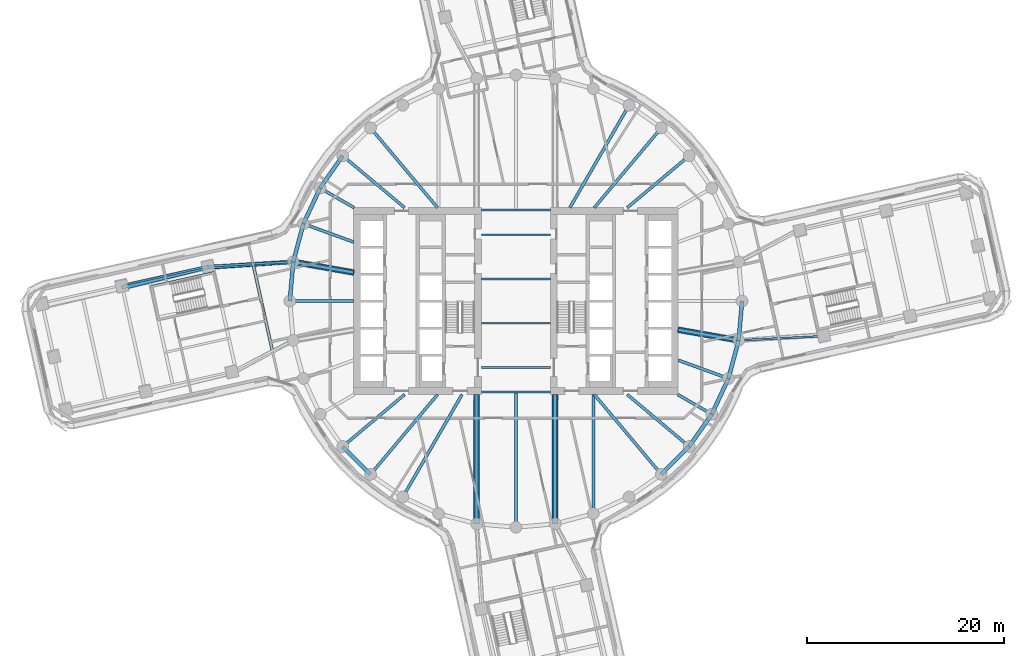
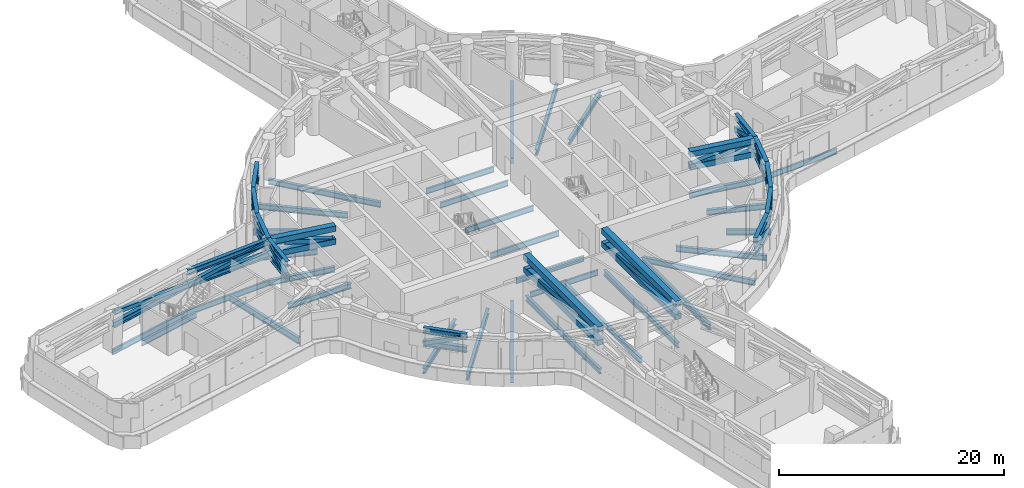
# One storey, part 3 of 22: 47 members, 32 beams.
"""IFC4 building model written with IfcOpenShell, lengths in metres."""

from ifc_helpers import new_model, si_unit, direction, frame, origin, origin_2d, place, context, subcontext, project, spatial, hollow_rectangle, i_section, extrude, material, material_profile, profile_set, type_object, element, save


model = new_model("IFC4")

# Units and contexts
model_context = context("Model", 3, precision=1e-05, world=origin(), true_north=direction((0.0, 1.0)))
body_context = subcontext(model_context, "Body", "Model", "MODEL_VIEW")
ifc_project = project(units=[si_unit("LENGTHUNIT", "METRE"), si_unit("AREAUNIT", "SQUARE_METRE"), si_unit("VOLUMEUNIT", "CUBIC_METRE"), si_unit("PLANEANGLEUNIT", "RADIAN"), si_unit("MASSUNIT", "GRAM", prefix="KILO")], contexts=[model_context])

# Site, building, storey
site_placement = place(None, origin())
site = spatial("IfcSite", under=ifc_project, at=site_placement, CompositionType="ELEMENT")
building_placement = place(site_placement, origin())
building = spatial("IfcBuilding", under=site, at=building_placement, Name="Tamarind Cross Interchange Tower", CompositionType="ELEMENT")
storey_placement = place(building_placement, frame((0.0, 0.0, 79.0)))
storey = spatial("IfcBuildingStorey", under=building, at=storey_placement, Name="L18", CompositionType="ELEMENT", Elevation=79.0)

# Beams
ifc_material_1 = material(Name="Steel Q355B", Category="steel")
ifc_material_profile_1 = material_profile(ifc_material_1, i_section(OverallWidth=0.302001953125, OverallDepth=0.593994140625, WebThickness=0.013916015625, FlangeThickness=0.02294921875, FilletRadius=0.01806640625, at=origin_2d()), Name="HM 594x302x14x23")
ifc_profile_set_1 = profile_set([ifc_material_profile_1], Name="Steel Q355B")
beam_type_1 = type_object("IfcBeamType", Name="Composite beam HM 594x302x14x23 Q355B", PredefinedType="BEAM", material=ifc_profile_set_1)
beam_1_placement = place(storey_placement, frame((17.619140625, 14.7841796875, -0.47705078125), z_axis=(-0.766040580814, -0.642792212574, 0.0), x_axis=(0.642792212574, -0.766040580814, 0.0)))
element("IfcBeam", 1, at=beam_1_placement, inside=storey, type_object=beam_type_1, Name="Beam HH04", PredefinedType="BEAM", context=body_context, shape_type="SweptSolid", body=[
    extrude(i_section(OverallWidth=0.302001953125, OverallDepth=0.593994140625, WebThickness=0.013916015625, FlangeThickness=0.02294921875, FilletRadius=0.01806640625, at=origin_2d()), origin(), (0.0, 0.0, 1.0), 8.220703125),
])
beam_2_placement = place(storey_placement, frame((14.7841796875, 17.619140625, -0.47705078125), z_axis=(-0.642786293979, -0.766045547127, 0.0), x_axis=(0.766045547127, -0.642786293979, 0.0)))
element("IfcBeam", 2, at=beam_2_placement, inside=storey, type_object=beam_type_1, Name="Beam HH05", PredefinedType="BEAM", context=body_context, shape_type="SweptSolid", body=[
    extrude(i_section(OverallWidth=0.302001953125, OverallDepth=0.593994140625, WebThickness=0.013916015625, FlangeThickness=0.02294921875, FilletRadius=0.01806640625, at=origin_2d()), origin(), (0.0, 0.0, 1.0), 10.598876953125),
])
beam_3_placement = place(storey_placement, frame((11.5, 19.918701171875, -0.47705078125), z_axis=(-0.499993565836, -0.866029118519, 0.0), x_axis=(0.866029118519, -0.499993565836, 0.0)))
element("IfcBeam", 3, at=beam_3_placement, inside=storey, type_object=beam_type_1, Name="Beam HH06", PredefinedType="BEAM", context=body_context, shape_type="SweptSolid", body=[
    extrude(i_section(OverallWidth=0.302001953125, OverallDepth=0.593994140625, WebThickness=0.013916015625, FlangeThickness=0.02294921875, FilletRadius=0.01806640625, at=origin_2d()), origin(), (0.0, 0.0, 1.0), 12.030517578125),
])
beam_4_placement = place(storey_placement, frame((-14.7841796875, 17.619140625, -0.47705078125), z_axis=(0.642786293979, -0.766045547127, 0.0), x_axis=(0.766045547127, 0.642786293979, 0.0)))
element("IfcBeam", 4, at=beam_4_placement, inside=storey, type_object=beam_type_1, Name="Beam HH13", PredefinedType="BEAM", context=body_context, shape_type="SweptSolid", body=[
    extrude(i_section(OverallWidth=0.302001953125, OverallDepth=0.593994140625, WebThickness=0.013916015625, FlangeThickness=0.02294921875, FilletRadius=0.01806640625, at=origin_2d()), origin(), (0.0, 0.0, 1.0), 10.598876953125),
])
beam_5_placement = place(storey_placement, frame((-17.619140625, 14.7841796875, -0.47705078125), z_axis=(0.766040580814, -0.642792212574, 0.0), x_axis=(0.642792212574, 0.766040580814, 0.0)))
element("IfcBeam", 5, at=beam_5_placement, inside=storey, type_object=beam_type_1, Name="Beam HH14", PredefinedType="BEAM", context=body_context, shape_type="SweptSolid", body=[
    extrude(i_section(OverallWidth=0.302001953125, OverallDepth=0.593994140625, WebThickness=0.013916015625, FlangeThickness=0.02294921875, FilletRadius=0.01806640625, at=origin_2d()), origin(), (0.0, 0.0, 1.0), 8.220703125),
])
beam_6_placement = place(storey_placement, frame((-19.918701171875, 11.5, -0.47705078125), z_axis=(0.866026010844, -0.49999894854, 0.0), x_axis=(0.49999894854, 0.866026010844, 0.0)))
element("IfcBeam", 6, at=beam_6_placement, inside=storey, type_object=beam_type_1, Name="Beam HH15", PredefinedType="BEAM", context=body_context, shape_type="SweptSolid", body=[
    extrude(i_section(OverallWidth=0.302001953125, OverallDepth=0.593994140625, WebThickness=0.013916015625, FlangeThickness=0.02294921875, FilletRadius=0.01806640625, at=origin_2d()), origin(), (0.0, 0.0, 1.0), 4.0),
])
beam_7_placement = place(storey_placement, frame((-21.613037109375, 7.866455078125, -0.47705078125), z_axis=(0.939701685589, -0.341995236956, 0.0), x_axis=(0.341995236956, 0.939701685589, 0.0)))
element("IfcBeam", 7, at=beam_7_placement, inside=storey, type_object=beam_type_1, Name="Beam HH16", PredefinedType="BEAM", context=body_context, shape_type="SweptSolid", body=[
    extrude(i_section(OverallWidth=0.302001953125, OverallDepth=0.593994140625, WebThickness=0.013916015625, FlangeThickness=0.02294921875, FilletRadius=0.01806640625, at=origin_2d()), origin(), (0.0, 0.0, 1.0), 5.441162109375),
])
beam_8_placement = place(storey_placement, frame((-22.650634765625, 3.993896484375, -0.47705078125), z_axis=(0.984809127561, -0.173640382036, 0.0), x_axis=(0.173640382036, 0.984809127561, 0.0)))
element("IfcBeam", 8, at=beam_8_placement, inside=storey, type_object=beam_type_1, Name="Beam HH17", PredefinedType="BEAM", context=body_context, shape_type="SweptSolid", body=[
    extrude(i_section(OverallWidth=0.302001953125, OverallDepth=0.593994140625, WebThickness=0.013916015625, FlangeThickness=0.02294921875, FilletRadius=0.01806640625, at=origin_2d()), origin(), (0.0, 0.0, 1.0), 6.24560546875),
])
beam_9_placement = place(storey_placement, frame((-23.0, 0.0, -0.47705078125), z_axis=(1.0, 0.0, 0.0), x_axis=(0.0, 1.0, 0.0)))
element("IfcBeam", 9, at=beam_9_placement, inside=storey, type_object=beam_type_1, Name="Beam HH18", PredefinedType="BEAM", context=body_context, shape_type="SweptSolid", body=[
    extrude(i_section(OverallWidth=0.302001953125, OverallDepth=0.593994140625, WebThickness=0.013916015625, FlangeThickness=0.02294921875, FilletRadius=0.01806640625, at=origin_2d()), origin(), (0.0, 0.0, 1.0), 6.5),
])
beam_10_placement = place(storey_placement, frame((-17.619140625, -14.7841796875, -0.47705078125), z_axis=(0.766040580814, 0.642792212574, 0.0), x_axis=(-0.642792212574, 0.766040580814, 0.0)))
element("IfcBeam", 10, at=beam_10_placement, inside=storey, type_object=beam_type_1, Name="Beam HH22", PredefinedType="BEAM", context=body_context, shape_type="SweptSolid", body=[
    extrude(i_section(OverallWidth=0.302001953125, OverallDepth=0.593994140625, WebThickness=0.013916015625, FlangeThickness=0.02294921875, FilletRadius=0.01806640625, at=origin_2d()), origin(), (0.0, 0.0, 1.0), 8.220703125),
])
beam_11_placement = place(storey_placement, frame((-14.7841796875, -17.619140625, -0.47705078125), z_axis=(0.642786293979, 0.766045547127, 0.0), x_axis=(-0.766045547127, 0.642786293979, 0.0)))
element("IfcBeam", 11, at=beam_11_placement, inside=storey, type_object=beam_type_1, Name="Beam HH23", PredefinedType="BEAM", context=body_context, shape_type="SweptSolid", body=[
    extrude(i_section(OverallWidth=0.302001953125, OverallDepth=0.593994140625, WebThickness=0.013916015625, FlangeThickness=0.02294921875, FilletRadius=0.01806640625, at=origin_2d()), origin(), (0.0, 0.0, 1.0), 10.598876953125),
])
beam_12_placement = place(storey_placement, frame((-11.5, -19.918701171875, -0.47705078125), z_axis=(0.499993565836, 0.866029118519, 0.0), x_axis=(-0.866029118519, 0.499993565836, 0.0)))
element("IfcBeam", 12, at=beam_12_placement, inside=storey, type_object=beam_type_1, Name="Beam HH24", PredefinedType="BEAM", context=body_context, shape_type="SweptSolid", body=[
    extrude(i_section(OverallWidth=0.302001953125, OverallDepth=0.593994140625, WebThickness=0.013916015625, FlangeThickness=0.02294921875, FilletRadius=0.01806640625, at=origin_2d()), origin(), (0.0, 0.0, 1.0), 12.030517578125),
])
beam_13_placement = place(storey_placement, frame((-3.993896484375, -22.650634765625, -0.47705078125), z_axis=(0.0, 1.0, 0.0), x_axis=(-1.0, 0.0, 0.0)))
element("IfcBeam", 13, at=beam_13_placement, inside=storey, type_object=beam_type_1, Name="Beam HH26", PredefinedType="BEAM", context=body_context, shape_type="SweptSolid", body=[
    extrude(i_section(OverallWidth=0.302001953125, OverallDepth=0.593994140625, WebThickness=0.013916015625, FlangeThickness=0.02294921875, FilletRadius=0.01806640625, at=origin_2d()), origin(), (0.0, 0.0, 1.0), 13.150634765625),
])
beam_14_placement = place(storey_placement, frame((0.0, -23.0, -0.47705078125), z_axis=(0.0, 1.0, 0.0), x_axis=(-1.0, 0.0, 0.0)))
element("IfcBeam", 14, at=beam_14_placement, inside=storey, type_object=beam_type_1, Name="Beam HH27", PredefinedType="BEAM", context=body_context, shape_type="SweptSolid", body=[
    extrude(i_section(OverallWidth=0.302001953125, OverallDepth=0.593994140625, WebThickness=0.013916015625, FlangeThickness=0.02294921875, FilletRadius=0.01806640625, at=origin_2d()), origin(), (0.0, 0.0, 1.0), 13.75),
])
beam_15_placement = place(storey_placement, frame((3.993896484375, -22.650634765625, -0.47705078125), z_axis=(0.0, 1.0, 0.0), x_axis=(-1.0, 0.0, 0.0)))
element("IfcBeam", 15, at=beam_15_placement, inside=storey, type_object=beam_type_1, Name="Beam HH28", PredefinedType="BEAM", context=body_context, shape_type="SweptSolid", body=[
    extrude(i_section(OverallWidth=0.302001953125, OverallDepth=0.593994140625, WebThickness=0.013916015625, FlangeThickness=0.02294921875, FilletRadius=0.01806640625, at=origin_2d()), origin(), (0.0, 0.0, 1.0), 13.150634765625),
])
beam_16_placement = place(storey_placement, frame((7.866455078125, -21.613037109375, -0.47705078125), z_axis=(0.0, 1.0, 0.0), x_axis=(-1.0, 0.0, 0.0)))
element("IfcBeam", 16, at=beam_16_placement, inside=storey, type_object=beam_type_1, Name="Beam HH29", PredefinedType="BEAM", context=body_context, shape_type="SweptSolid", body=[
    extrude(i_section(OverallWidth=0.302001953125, OverallDepth=0.593994140625, WebThickness=0.013916015625, FlangeThickness=0.02294921875, FilletRadius=0.01806640625, at=origin_2d()), origin(), (0.0, 0.0, 1.0), 12.113037109375),
])
beam_17_placement = place(storey_placement, frame((14.7841796875, -17.619140625, -0.47705078125), z_axis=(-0.642786293979, 0.766045547127, 0.0), x_axis=(-0.766045547127, -0.642786293979, 0.0)))
element("IfcBeam", 17, at=beam_17_placement, inside=storey, type_object=beam_type_1, Name="Beam HH31", PredefinedType="BEAM", context=body_context, shape_type="SweptSolid", body=[
    extrude(i_section(OverallWidth=0.302001953125, OverallDepth=0.593994140625, WebThickness=0.013916015625, FlangeThickness=0.02294921875, FilletRadius=0.01806640625, at=origin_2d()), origin(), (0.0, 0.0, 1.0), 10.598876953125),
])
beam_18_placement = place(storey_placement, frame((17.619140625, -14.7841796875, -0.47705078125), z_axis=(-0.766040580814, 0.642792212574, 0.0), x_axis=(-0.642792212574, -0.766040580814, 0.0)))
element("IfcBeam", 18, at=beam_18_placement, inside=storey, type_object=beam_type_1, Name="Beam HH32", PredefinedType="BEAM", context=body_context, shape_type="SweptSolid", body=[
    extrude(i_section(OverallWidth=0.302001953125, OverallDepth=0.593994140625, WebThickness=0.013916015625, FlangeThickness=0.02294921875, FilletRadius=0.01806640625, at=origin_2d()), origin(), (0.0, 0.0, 1.0), 8.220703125),
])
beam_19_placement = place(storey_placement, frame((19.918701171875, -11.5, -0.47705078125), z_axis=(-0.866026010844, 0.49999894854, 0.0), x_axis=(-0.49999894854, -0.866026010844, 0.0)))
element("IfcBeam", 19, at=beam_19_placement, inside=storey, type_object=beam_type_1, Name="Beam HH33", PredefinedType="BEAM", context=body_context, shape_type="SweptSolid", body=[
    extrude(i_section(OverallWidth=0.302001953125, OverallDepth=0.593994140625, WebThickness=0.013916015625, FlangeThickness=0.02294921875, FilletRadius=0.01806640625, at=origin_2d()), origin(), (0.0, 0.0, 1.0), 4.0),
])
beam_20_placement = place(storey_placement, frame((21.613037109375, -7.866455078125, -0.47705078125), z_axis=(-0.939701685589, 0.341995236956, 0.0), x_axis=(-0.341995236956, -0.939701685589, 0.0)))
element("IfcBeam", 20, at=beam_20_placement, inside=storey, type_object=beam_type_1, Name="Beam HH34", PredefinedType="BEAM", context=body_context, shape_type="SweptSolid", body=[
    extrude(i_section(OverallWidth=0.302001953125, OverallDepth=0.593994140625, WebThickness=0.013916015625, FlangeThickness=0.02294921875, FilletRadius=0.01806640625, at=origin_2d()), origin(), (0.0, 0.0, 1.0), 5.441162109375),
])
beam_21_placement = place(storey_placement, frame((22.650634765625, -3.993896484375, -0.47705078125), z_axis=(-0.984809127561, 0.173640382036, 0.0), x_axis=(-0.173640382036, -0.984809127561, 0.0)))
element("IfcBeam", 21, at=beam_21_placement, inside=storey, type_object=beam_type_1, Name="Beam HH35", PredefinedType="BEAM", context=body_context, shape_type="SweptSolid", body=[
    extrude(i_section(OverallWidth=0.302001953125, OverallDepth=0.593994140625, WebThickness=0.013916015625, FlangeThickness=0.02294921875, FilletRadius=0.01806640625, at=origin_2d()), origin(), (0.0, 0.0, 1.0), 6.24560546875),
])
ifc_material_profile_2 = material_profile(ifc_material_1, i_section(OverallWidth=0.198974609375, OverallDepth=0.595947265625, WebThickness=0.010009765625, FlangeThickness=0.014892578125, FilletRadius=0.012939453125, at=origin_2d()), Name="HN 596x199x10x15")
ifc_profile_set_2 = profile_set([ifc_material_profile_2], Name="Steel Q355B")
beam_type_2 = type_object("IfcBeamType", Name="Composite beam HN 596x199x10x15 Q355B", PredefinedType="BEAM", material=ifc_profile_set_2)
for number, where, z_axis, x_axis, name in (
    (22, (-3.5, -2.25, -0.47802734375), (1.0, 0.0, 0.0), (0.0, 1.0, 0.0), "Beam G-2.25"),
    (23, (-3.5, -6.75, -0.47802734375), (1.0, 0.0, 0.0), (0.0, 1.0, 0.0), "Beam G-6.75"),
    (24, (-3.5, -9.25, -0.47802734375), (1.0, 0.0, 0.0), (0.0, 1.0, 0.0), "Beam G-9.25"),
    (25, (-3.5, 2.25, -0.47802734375), (1.0, 0.0, 0.0), (0.0, 1.0, 0.0), "Beam G2.25"),
    (26, (-3.5, 6.75, -0.47802734375), (1.0, 0.0, 0.0), (0.0, 1.0, 0.0), "Beam G6.75"),
    (27, (-3.5, 9.25, -0.47802734375), (1.0, 0.0, 0.0), (0.0, 1.0, 0.0), "Beam G9.25"),
):
    element("IfcBeam", number, at=place(storey_placement, frame(where, z_axis=z_axis, x_axis=x_axis)), inside=storey, type_object=beam_type_2, Name=name, PredefinedType="BEAM", context=body_context, shape_type="SweptSolid", body=[
        extrude(i_section(OverallWidth=0.198974609375, OverallDepth=0.595947265625, WebThickness=0.010009765625, FlangeThickness=0.014892578125, FilletRadius=0.012939453125, at=origin_2d()), origin(), (0.0, 0.0, 1.0), 7.0),
    ])
ifc_material_profile_3 = material_profile(ifc_material_1, i_section(OverallWidth=0.199951171875, OverallDepth=0.60009765625, WebThickness=0.010986328125, FlangeThickness=0.01708984375, FilletRadius=0.012939453125, at=origin_2d()), Name="HN 600x200x11x17")
ifc_profile_set_3 = profile_set([ifc_material_profile_3], Name="Steel Q355B")
beam_type_3 = type_object("IfcBeamType", Name="Composite beam HN 600x200x11x17 Q355B", PredefinedType="BEAM", material=ifc_profile_set_3)
beam_22_placement = place(storey_placement, frame((31.2958984375, -3.567138671875, -0.47998046875), z_axis=(-0.998783859725, -0.049303159662, 0.0), x_axis=(0.049303159662, -0.998783859725, 0.0)))
element("IfcBeam", 28, at=beam_22_placement, inside=storey, type_object=beam_type_3, Name="Beam E-linkem", PredefinedType="BEAM", context=body_context, shape_type="SweptSolid", body=[
    extrude(i_section(OverallWidth=0.199951171875, OverallDepth=0.60009765625, WebThickness=0.010986328125, FlangeThickness=0.01708984375, FilletRadius=0.012939453125, at=origin_2d()), origin(), (0.0, 0.0, 1.0), 8.65576171875),
])
beam_23_placement = place(storey_placement, frame((-40.081298828125, 1.61328125, -0.47998046875), z_axis=(0.976150664899, 0.217094171771, 0.0), x_axis=(-0.217094171771, 0.976150664899, 0.0)))
element("IfcBeam", 29, at=beam_23_placement, inside=storey, type_object=beam_type_3, Name="Beam W-edgeem6", PredefinedType="BEAM", context=body_context, shape_type="SweptSolid", body=[
    extrude(i_section(OverallWidth=0.199951171875, OverallDepth=0.60009765625, WebThickness=0.010986328125, FlangeThickness=0.01708984375, FilletRadius=0.012939453125, at=origin_2d()), origin(), (0.0, 0.0, 1.0), 9.0),
])
beam_24_placement = place(storey_placement, frame((-31.2958984375, 3.567138671875, -0.47998046875), z_axis=(0.998783859725, 0.049303159662, 0.0), x_axis=(-0.049303159662, 0.998783859725, 0.0)))
element("IfcBeam", 30, at=beam_24_placement, inside=storey, type_object=beam_type_3, Name="Beam W-linkem", PredefinedType="BEAM", context=body_context, shape_type="SweptSolid", body=[
    extrude(i_section(OverallWidth=0.199951171875, OverallDepth=0.60009765625, WebThickness=0.010986328125, FlangeThickness=0.01708984375, FilletRadius=0.012939453125, at=origin_2d()), origin(), (0.0, 0.0, 1.0), 8.65576171875),
])
beam_25_placement = place(storey_placement, frame((-30.69384765625, 2.9326171875, -0.47998046875), z_axis=(-0.976157458241, -0.217063623667, 0.0), x_axis=(0.217063623667, -0.976157458241, 0.0)))
element("IfcBeam", 31, at=beam_25_placement, inside=storey, type_object=beam_type_3, Name="Beam W-tr0", PredefinedType="BEAM", context=body_context, shape_type="SweptSolid", body=[
    extrude(i_section(OverallWidth=0.199951171875, OverallDepth=0.60009765625, WebThickness=0.010986328125, FlangeThickness=0.01708984375, FilletRadius=0.012939453125, at=origin_2d()), origin(), (0.0, 0.0, 1.0), 6.60009765625),
])
ifc_material_profile_4 = material_profile(ifc_material_1, i_section(OverallWidth=0.300048828125, OverallDepth=0.699951171875, WebThickness=0.012939453125, FlangeThickness=0.02392578125, FilletRadius=0.01806640625, at=origin_2d()), Name="HN 700x300x13x24")
ifc_profile_set_4 = profile_set([ifc_material_profile_4], Name="Steel Q355B")
beam_type_4 = type_object("IfcBeamType", Name="Composite beam HN 700x300x13x24 Q355B", PredefinedType="BEAM", material=ifc_profile_set_4)
beam_26_placement = place(storey_placement, frame((-26.736083984375, 3.792236328125, -0.530029296875), z_axis=(0.217072860623, -0.976155404216, 0.0), x_axis=(0.976155404216, 0.217072860623, 0.0)))
element("IfcBeam", 32, at=beam_26_placement, inside=storey, type_object=beam_type_4, Name="Beam W-x258", PredefinedType="BEAM", context=body_context, shape_type="SweptSolid", body=[
    extrude(i_section(OverallWidth=0.300048828125, OverallDepth=0.699951171875, WebThickness=0.012939453125, FlangeThickness=0.02392578125, FilletRadius=0.01806640625, at=origin_2d()), origin(), (0.0, 0.0, 1.0), 9.076171875),
])

# Members
ifc_material_2 = material(Name="Steel Q420B", Category="steel")
ifc_material_profile_5 = material_profile(ifc_material_2, i_section(OverallWidth=0.39990234375, OverallDepth=0.60009765625, WebThickness=0.02490234375, FlangeThickness=0.0400390625, at=origin_2d()), Name="BH 600x400x25x40")
ifc_profile_set_5 = profile_set([ifc_material_profile_5], Name="Steel Q420B")
member_type_1 = type_object("IfcMemberType", Name="Truss chord BH 600x400x25x40 Q420B", PredefinedType="CHORD", material=ifc_profile_set_5)
for number, where, z_axis, x_axis, name in (
    (33, (-17.619140625, 14.7841796875, 4.06005859375), (-0.573568599011, -0.819157531998, 0.0), (0.819157531998, -0.573568599011, 0.0), "Belt truss ring top H14"),
    (34, (-17.619140625, 14.7841796875, 2.64990234375), (-0.573568599011, -0.819157531998, 0.0), (0.819157531998, -0.573568599011, 0.0), "Belt truss ring bottom H14"),
    (35, (-19.918701171875, 11.5, 4.06005859375), (-0.422615416827, -0.906309113636, 0.0), (0.906309113636, -0.422615416827, 0.0), "Belt truss ring top H15"),
    (36, (-19.918701171875, 11.5, 2.64990234375), (-0.422615416827, -0.906309113636, 0.0), (0.906309113636, -0.422615416827, 0.0), "Belt truss ring bottom H15"),
):
    element("IfcMember", number, at=place(storey_placement, frame(where, z_axis=z_axis, x_axis=x_axis)), inside=storey, type_object=member_type_1, Name=name, PredefinedType="CHORD", context=body_context, shape_type="SweptSolid", body=[
        extrude(i_section(OverallWidth=0.39990234375, OverallDepth=0.60009765625, WebThickness=0.02490234375, FlangeThickness=0.0400390625, at=origin_2d()), origin(), (0.0, 0.0, 1.0), 4.00927734375),
    ])
for number, where, z_axis, x_axis, name in (
    (37, (-21.613037109375, 7.866455078125, 4.06005859375), (-0.258807108475, -0.96592902462, 0.0), (0.96592902462, -0.258807108475, 0.0), "Belt truss ring top H16"),
    (38, (-21.613037109375, 7.866455078125, 2.64990234375), (-0.258807108475, -0.96592902462, 0.0), (0.96592902462, -0.258807108475, 0.0), "Belt truss ring bottom H16"),
    (39, (-22.650634765625, 3.993896484375, 4.06005859375), (-0.087142021558, -0.996195898445, 0.0), (0.996195898445, -0.087142021558, 0.0), "Belt truss ring top H17"),
    (40, (-22.650634765625, 3.993896484375, 2.64990234375), (-0.087142021558, -0.996195898445, 0.0), (0.996195898445, -0.087142021558, 0.0), "Belt truss ring bottom H17"),
):
    element("IfcMember", number, at=place(storey_placement, frame(where, z_axis=z_axis, x_axis=x_axis)), inside=storey, type_object=member_type_1, Name=name, PredefinedType="CHORD", context=body_context, shape_type="SweptSolid", body=[
        extrude(i_section(OverallWidth=0.39990234375, OverallDepth=0.60009765625, WebThickness=0.02490234375, FlangeThickness=0.0400390625, at=origin_2d()), origin(), (0.0, 0.0, 1.0), 4.009033203125),
    ])
for number, where, z_axis, x_axis, name in (
    (41, (-17.619140625, -14.7841796875, 4.06005859375), (0.707106781187, -0.707106781187, 0.0), (0.707106781187, 0.707106781187, 0.0), "Belt truss ring top H22"),
    (42, (-17.619140625, -14.7841796875, 2.64990234375), (0.707106781187, -0.707106781187, 0.0), (0.707106781187, 0.707106781187, 0.0), "Belt truss ring bottom H22"),
    (43, (14.7841796875, -17.619140625, 4.06005859375), (0.707106781187, 0.707106781187, 0.0), (-0.707106781187, 0.707106781187, 0.0), "Belt truss ring top H31"),
    (44, (14.7841796875, -17.619140625, 2.64990234375), (0.707106781187, 0.707106781187, 0.0), (-0.707106781187, 0.707106781187, 0.0), "Belt truss ring bottom H31"),
    (45, (17.619140625, -14.7841796875, 4.06005859375), (0.573568599011, 0.819157531998, 0.0), (-0.819157531998, 0.573568599011, 0.0), "Belt truss ring top H32"),
    (46, (17.619140625, -14.7841796875, 2.64990234375), (0.573568599011, 0.819157531998, 0.0), (-0.819157531998, 0.573568599011, 0.0), "Belt truss ring bottom H32"),
    (47, (19.918701171875, -11.5, 4.06005859375), (0.422615416827, 0.906309113636, 0.0), (-0.906309113636, 0.422615416827, 0.0), "Belt truss ring top H33"),
    (48, (19.918701171875, -11.5, 2.64990234375), (0.422615416827, 0.906309113636, 0.0), (-0.906309113636, 0.422615416827, 0.0), "Belt truss ring bottom H33"),
):
    element("IfcMember", number, at=place(storey_placement, frame(where, z_axis=z_axis, x_axis=x_axis)), inside=storey, type_object=member_type_1, Name=name, PredefinedType="CHORD", context=body_context, shape_type="SweptSolid", body=[
        extrude(i_section(OverallWidth=0.39990234375, OverallDepth=0.60009765625, WebThickness=0.02490234375, FlangeThickness=0.0400390625, at=origin_2d()), origin(), (0.0, 0.0, 1.0), 4.00927734375),
    ])
for number, where, z_axis, x_axis, name in (
    (49, (21.613037109375, -7.866455078125, 4.06005859375), (0.258807108475, 0.96592902462, 0.0), (-0.96592902462, 0.258807108475, 0.0), "Belt truss ring top H34"),
    (50, (21.613037109375, -7.866455078125, 2.64990234375), (0.258807108475, 0.96592902462, 0.0), (-0.96592902462, 0.258807108475, 0.0), "Belt truss ring bottom H34"),
    (51, (22.650634765625, -3.993896484375, 4.06005859375), (0.087142021558, 0.996195898445, 0.0), (-0.996195898445, 0.087142021558, 0.0), "Belt truss ring top H35"),
    (52, (22.650634765625, -3.993896484375, 2.64990234375), (0.087142021558, 0.996195898445, 0.0), (-0.996195898445, 0.087142021558, 0.0), "Belt truss ring bottom H35"),
):
    element("IfcMember", number, at=place(storey_placement, frame(where, z_axis=z_axis, x_axis=x_axis)), inside=storey, type_object=member_type_1, Name=name, PredefinedType="CHORD", context=body_context, shape_type="SweptSolid", body=[
        extrude(i_section(OverallWidth=0.39990234375, OverallDepth=0.60009765625, WebThickness=0.02490234375, FlangeThickness=0.0400390625, at=origin_2d()), origin(), (0.0, 0.0, 1.0), 4.009033203125),
    ])
member_1_placement = place(storey_placement, frame((-40.097900390625, 1.40771484375, 2.64990234375), z_axis=(0.973626668585, 0.228147124068, 0.0), x_axis=(-0.228147124068, 0.973626668585, 0.0)))
element("IfcMember", 53, at=member_1_placement, inside=storey, type_object=member_type_1, Name="Belt truss arm Wem bottom", PredefinedType="CHORD", context=body_context, shape_type="SweptSolid", body=[
    extrude(i_section(OverallWidth=0.39990234375, OverallDepth=0.60009765625, WebThickness=0.02490234375, FlangeThickness=0.0400390625, at=origin_2d()), origin(), (0.0, 0.0, 1.0), 8.99951171875),
])
member_2_placement = place(storey_placement, frame((-31.355224609375, 3.408203125, 4.06005859375), z_axis=(0.997743982942, 0.067133780644, 0.0), x_axis=(-0.067133780644, 0.997743982942, 0.0)))
element("IfcMember", 54, at=member_2_placement, inside=storey, type_object=member_type_1, Name="Belt truss arm Wem top", PredefinedType="CHORD", context=body_context, shape_type="SweptSolid", body=[
    extrude(i_section(OverallWidth=0.39990234375, OverallDepth=0.60009765625, WebThickness=0.02490234375, FlangeThickness=0.0400390625, at=origin_2d()), origin(), (0.0, 0.0, 1.0), 8.724365234375),
])
member_3_placement = place(storey_placement, frame((-31.335693359375, 3.4609375, 2.64990234375), z_axis=(0.998122466782, 0.06124982698, 0.0), x_axis=(-0.06124982698, 0.998122466782, 0.0)))
element("IfcMember", 55, at=member_3_placement, inside=storey, type_object=member_type_1, Name="Belt truss arm Wem bottom", PredefinedType="CHORD", context=body_context, shape_type="SweptSolid", body=[
    extrude(i_section(OverallWidth=0.39990234375, OverallDepth=0.60009765625, WebThickness=0.02490234375, FlangeThickness=0.0400390625, at=origin_2d()), origin(), (0.0, 0.0, 1.0), 8.701416015625),
])
ifc_material_profile_6 = material_profile(ifc_material_2, hollow_rectangle(XDim=0.60009765625, YDim=0.60009765625, WallThickness=0.0400390625, at=origin_2d()), Name="BOX 600x600x40")
ifc_profile_set_6 = profile_set([ifc_material_profile_6], Name="Steel Q420B")
member_type_2 = type_object("IfcMemberType", Name="Truss chord BOX 600x600x40 Q420B", PredefinedType="CHORD", material=ifc_profile_set_6)
for number, where, z_axis, x_axis, name in (
    (56, (16.5, -2.909423828125, 4.06005859375), (0.984809127561, -0.173640382036, 0.0), (0.173640382036, 0.984809127561, 0.0), "Outrigger truss H35 top"),
    (57, (16.5, -2.909423828125, 2.64990234375), (0.984809127561, -0.173640382036, 0.0), (0.173640382036, 0.984809127561, 0.0), "Outrigger truss H35 bottom"),
    (58, (-16.5, 2.909423828125, 4.06005859375), (-0.984809127561, 0.173640382036, 0.0), (-0.173640382036, -0.984809127561, 0.0), "Outrigger truss H17 top"),
    (59, (-16.5, 2.909423828125, 2.64990234375), (-0.984809127561, 0.173640382036, 0.0), (-0.173640382036, -0.984809127561, 0.0), "Outrigger truss H17 bottom"),
):
    element("IfcMember", number, at=place(storey_placement, frame(where, z_axis=z_axis, x_axis=x_axis)), inside=storey, type_object=member_type_2, Name=name, PredefinedType="CHORD", context=body_context, shape_type="SweptSolid", body=[
        extrude(hollow_rectangle(XDim=0.60009765625, YDim=0.60009765625, WallThickness=0.0400390625, at=origin_2d()), origin(), (0.0, 0.0, 1.0), 6.24560546875),
    ])
for number, where, z_axis, x_axis, name in (
    (60, (-3.993896484375, -9.5, 4.06005859375), (0.0, -1.0, 0.0), (1.0, 0.0, 0.0), "Outrigger truss H26 top"),
    (61, (-3.993896484375, -9.5, 2.64990234375), (0.0, -1.0, 0.0), (1.0, 0.0, 0.0), "Outrigger truss H26 bottom"),
    (62, (3.993896484375, -9.5, 4.06005859375), (0.0, -1.0, 0.0), (1.0, 0.0, 0.0), "Outrigger truss H28 top"),
    (63, (3.993896484375, -9.5, 2.64990234375), (0.0, -1.0, 0.0), (1.0, 0.0, 0.0), "Outrigger truss H28 bottom"),
):
    element("IfcMember", number, at=place(storey_placement, frame(where, z_axis=z_axis, x_axis=x_axis)), inside=storey, type_object=member_type_2, Name=name, PredefinedType="CHORD", context=body_context, shape_type="SweptSolid", body=[
        extrude(hollow_rectangle(XDim=0.60009765625, YDim=0.60009765625, WallThickness=0.0400390625, at=origin_2d()), origin(), (0.0, 0.0, 1.0), 13.150634765625),
    ])
ifc_material_profile_7 = material_profile(ifc_material_2, hollow_rectangle(XDim=0.39990234375, YDim=0.39990234375, WallThickness=0.02490234375, at=origin_2d()), Name="BOX 400x400x25")
ifc_profile_set_7 = profile_set([ifc_material_profile_7], Name="Steel Q420B")
member_type_3 = type_object("IfcMemberType", Name="Truss diagonal BOX 400x400x25 Q420B", PredefinedType="BRACE", material=ifc_profile_set_7)
for number, where, z_axis, x_axis, name in (
    (64, (-17.619140625, 14.7841796875, 2.64990234375), (-0.541075232991, -0.772751251109, 0.331802797086), (0.819157531998, -0.573568599011, 0.0), "Belt truss ring diagonal H14"),
    (65, (-19.918701171875, 11.5, 4.06005859375), (-0.398673198935, -0.854964440887, -0.33180639727), (0.906309113636, -0.422615416827, 0.0), "Belt truss ring diagonal H15"),
    (66, (-21.613037109375, 7.866455078125, 2.64990234375), (-0.244144953026, -0.911206410564, 0.33180735263), (0.96592902462, -0.258807108475, 0.0), "Belt truss ring diagonal H16"),
    (67, (-22.650634765625, 3.993896484375, 4.06005859375), (-0.082205164178, -0.939758407255, -0.331807846464), (0.996195898445, -0.087142021558, 0.0), "Belt truss ring diagonal H17"),
    (68, (-17.619140625, -14.7841796875, 2.64990234375), (0.667048751873, -0.667048751873, 0.331801032623), (0.707106781187, 0.707106781187, 0.0), "Belt truss ring diagonal H22"),
    (69, (14.7841796875, -17.619140625, 4.06005859375), (0.667048751873, 0.667048751873, -0.331801032623), (-0.707106781187, 0.707106781187, 0.0), "Belt truss ring diagonal H31"),
    (70, (17.619140625, -14.7841796875, 2.64990234375), (0.541075232991, 0.772751251109, 0.331802797086), (-0.819157531998, 0.573568599011, 0.0), "Belt truss ring diagonal H32"),
    (71, (19.918701171875, -11.5, 4.06005859375), (0.398673198935, 0.854964440887, -0.33180639727), (-0.906309113636, 0.422615416827, 0.0), "Belt truss ring diagonal H33"),
    (72, (21.613037109375, -7.866455078125, 2.64990234375), (0.244144953026, 0.911206410564, 0.33180735263), (-0.96592902462, 0.258807108475, 0.0), "Belt truss ring diagonal H34"),
    (73, (22.650634765625, -3.993896484375, 4.06005859375), (0.082205164178, 0.939758407255, -0.331807846464), (-0.996195898445, 0.087142021558, 0.0), "Belt truss ring diagonal H35"),
):
    element("IfcMember", number, at=place(storey_placement, frame(where, z_axis=z_axis, x_axis=x_axis)), inside=storey, type_object=member_type_3, Name=name, PredefinedType="BRACE", context=body_context, shape_type="SweptSolid", body=[
        extrude(hollow_rectangle(XDim=0.39990234375, YDim=0.39990234375, WallThickness=0.02490234375, at=origin_2d()), origin(), (0.0, 0.0, 1.0), 4.25),
    ])
member_4_placement = place(storey_placement, frame((-40.10595703125, 1.30517578125, 4.06005859375), z_axis=(0.95946835179, 0.235840702233, -0.154271335911), x_axis=(-0.238698274017, 0.971093782279, 0.0)))
element("IfcMember", 74, at=member_4_placement, inside=storey, type_object=member_type_3, Name="Belt truss arm Wem diagonal", PredefinedType="BRACE", context=body_context, shape_type="SweptSolid", body=[
    extrude(hollow_rectangle(XDim=0.39990234375, YDim=0.39990234375, WallThickness=0.02490234375, at=origin_2d()), origin(), (0.0, 0.0, 1.0), 9.140869140625),
])
member_5_placement = place(storey_placement, frame((-31.335693359375, 3.4609375, 2.64990234375), z_axis=(0.985267910068, 0.060461006569, 0.159973785589), x_axis=(-0.06124982698, 0.998122466782, 0.0)))
element("IfcMember", 75, at=member_5_placement, inside=storey, type_object=member_type_3, Name="Belt truss arm Wem diagonal", PredefinedType="BRACE", context=body_context, shape_type="SweptSolid", body=[
    extrude(hollow_rectangle(XDim=0.39990234375, YDim=0.39990234375, WallThickness=0.02490234375, at=origin_2d()), origin(), (0.0, 0.0, 1.0), 8.81494140625),
])
ifc_material_profile_8 = material_profile(ifc_material_2, hollow_rectangle(XDim=0.5, YDim=0.5, WallThickness=0.030029296875, at=origin_2d()), Name="BOX 500x500x30")
ifc_profile_set_8 = profile_set([ifc_material_profile_8], Name="Steel Q420B")
member_type_4 = type_object("IfcMemberType", Name="Truss diagonal BOX 500x500x30 Q420B", PredefinedType="BRACE", material=ifc_profile_set_8)
for number, where, z_axis, x_axis, name in (
    (76, (16.5, -2.909423828125, 2.64990234375), (0.960627170611, -0.169376647952, 0.220243025342), (0.173640382036, 0.984809127561, 0.0), "Outrigger truss H35 diagonal"),
    (77, (-16.5, 2.909423828125, 2.64990234375), (-0.960627170611, 0.169376647952, 0.220243025342), (-0.173640382036, -0.984809127561, 0.0), "Outrigger truss H17 diagonal"),
):
    element("IfcMember", number, at=place(storey_placement, frame(where, z_axis=z_axis, x_axis=x_axis)), inside=storey, type_object=member_type_4, Name=name, PredefinedType="BRACE", context=body_context, shape_type="SweptSolid", body=[
        extrude(hollow_rectangle(XDim=0.5, YDim=0.5, WallThickness=0.030029296875, at=origin_2d()), origin(), (0.0, 0.0, 1.0), 6.40283203125),
    ])
for number, where, z_axis, x_axis, name in (
    (78, (-3.993896484375, -9.5, 2.64990234375), (0.0, -0.994299862393, 0.106619808877), (1.0, 0.0, 0.0), "Outrigger truss H26 diagonal"),
    (79, (3.993896484375, -9.5, 2.64990234375), (0.0, -0.994299862393, 0.106619808877), (1.0, 0.0, 0.0), "Outrigger truss H28 diagonal"),
):
    element("IfcMember", number, at=place(storey_placement, frame(where, z_axis=z_axis, x_axis=x_axis)), inside=storey, type_object=member_type_4, Name=name, PredefinedType="BRACE", context=body_context, shape_type="SweptSolid", body=[
        extrude(hollow_rectangle(XDim=0.5, YDim=0.5, WallThickness=0.030029296875, at=origin_2d()), origin(), (0.0, 0.0, 1.0), 13.22607421875),
    ])

save(model, "model.ifc")
